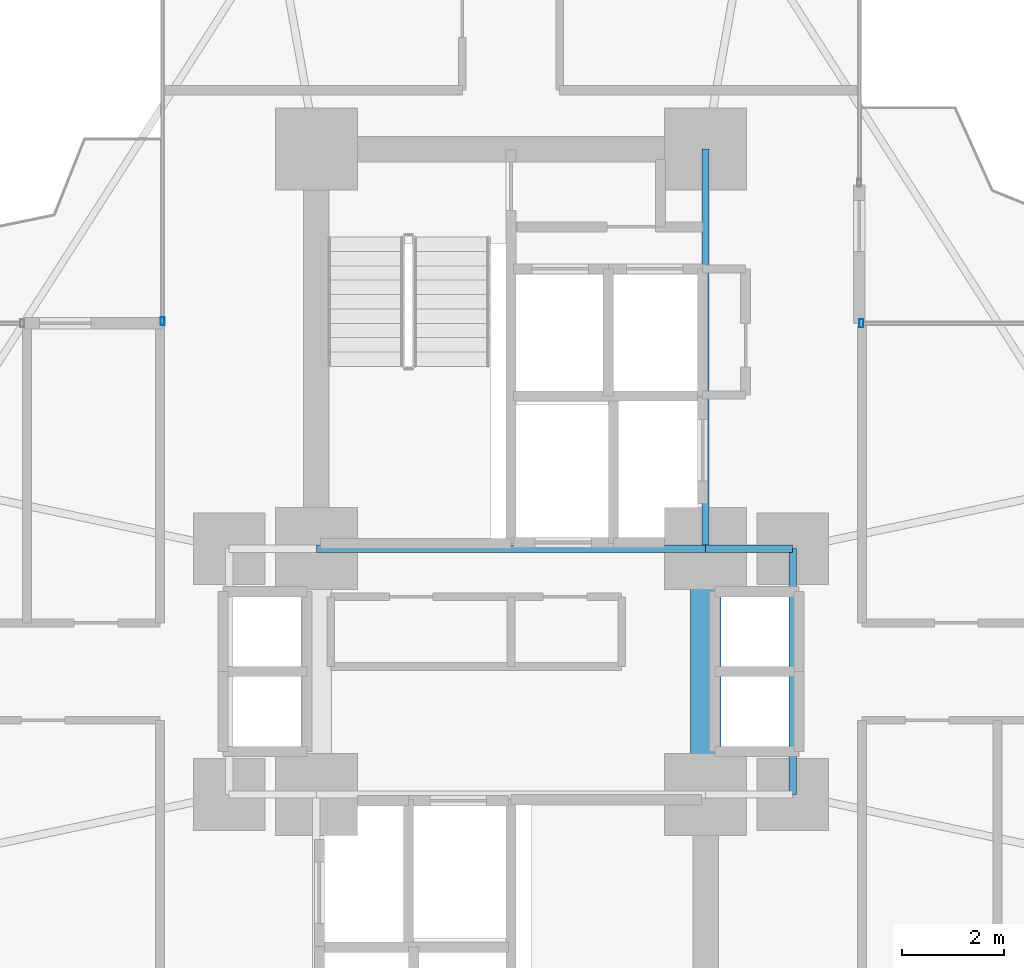
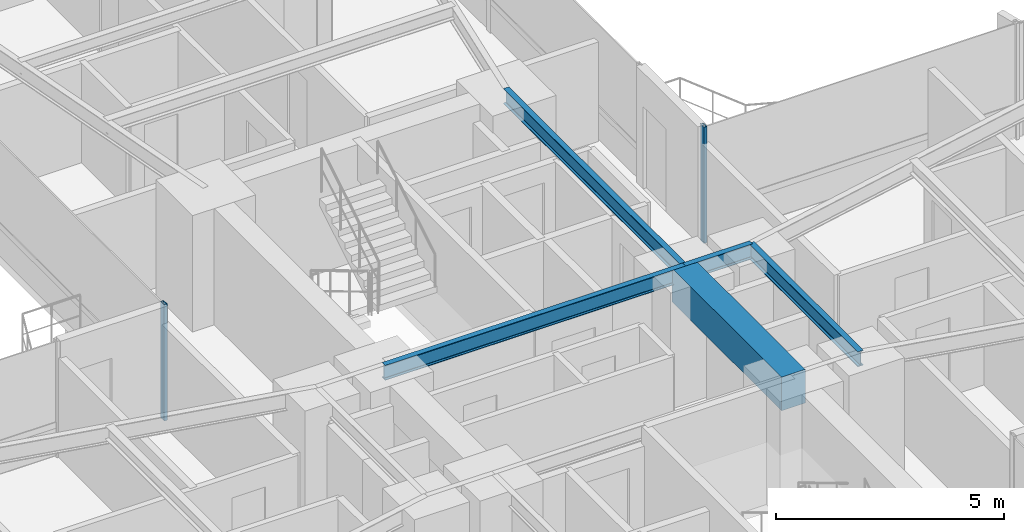
# One storey, part 12 of 26: 5 beams, 2 members, 2 elements without a shape of their own.
"""IFC4 building model written with IfcOpenShell, lengths in metres."""

from ifc_helpers import new_model, si_unit, direction, frame, origin, origin_2d, place, context, subcontext, project, spatial, rectangle, hollow_rectangle, i_section, extrude, source, transform, mapped, material, material_profile, profile_set, type_object, element, aggregate, save


model = new_model("IFC4")

# Units and contexts
model_context = context("Model", 3, precision=1e-05, world=origin(), true_north=direction((0.0, 1.0)))
body_context = subcontext(model_context, "Body", "Model", "MODEL_VIEW")
ifc_project = project(units=[si_unit("LENGTHUNIT", "METRE"), si_unit("AREAUNIT", "SQUARE_METRE"), si_unit("VOLUMEUNIT", "CUBIC_METRE"), si_unit("PLANEANGLEUNIT", "RADIAN"), si_unit("MASSUNIT", "GRAM", prefix="KILO")], contexts=[model_context])

# Site, building, storey
site_placement = place(None, origin())
site = spatial("IfcSite", under=ifc_project, at=site_placement, CompositionType="ELEMENT")
building_placement = place(site_placement, origin())
building = spatial("IfcBuilding", under=site, at=building_placement, Name="Sahyath Konkavel Grand Hotel", CompositionType="ELEMENT")
storey_placement = place(building_placement, frame((0.0, 0.0, 51.050048828125)))
storey = spatial("IfcBuildingStorey", under=building, at=storey_placement, Name="L13", CompositionType="ELEMENT", Elevation=51.050048828125)

# Beams
ifc_material_1 = material(Name="Concrete C70/85", Category="concrete")
ifc_material_profile_1 = material_profile(ifc_material_1, rectangle(XDim=0.60009765625, YDim=0.89990234375, at=origin_2d()), Name="RC 600x900")
ifc_profile_set_1 = profile_set([ifc_material_profile_1], Name="Concrete C70/85")
beam_type_1 = type_object("IfcBeamType", Name="BM-CB600x900", PredefinedType="LINTEL", material=ifc_profile_set_1)
shared_shape_1 = source(origin(), body_context, "Body", "SweptSolid", [
    extrude(rectangle(XDim=0.60009765625, YDim=0.89990234375, at=origin_2d()), origin(), (0.0, 0.0, 1.0), 4.7998046875),
])
beam_1_placement = place(storey_placement, frame((3.800048828125, -2.39990234375, 2.659912109375), z_axis=(0.0, 1.0, 0.0), x_axis=(-1.0, 0.0, 0.0)))
element("IfcBeam", 1, at=beam_1_placement, inside=storey, type_object=beam_type_1, Name="L13 Split-Core Coupling Beam East", PredefinedType="LINTEL", context=body_context, shape_type="MappedRepresentation", body=[
    mapped(shared_shape_1, transform((0.0, 0.0, 0.0), scale=1.0)),
])
ifc_material_2 = material(Name="Steel E350", Category="steel")
ifc_material_profile_2 = material_profile(ifc_material_2, i_section(OverallWidth=0.139892578125, OverallDepth=0.39990234375, WebThickness=0.0087890625, FlangeThickness=0.01611328125, FilletRadius=0.013916015625, at=origin_2d()), Name="ISMB 400")
ifc_profile_set_2 = profile_set([ifc_material_profile_2], Name="Steel E350")
beam_type_2 = type_object("IfcBeamType", Name="BM-ISMB400", PredefinedType="BEAM", material=ifc_profile_set_2)
shared_shape_2 = source(origin(), body_context, "Body", "SweptSolid", [
    extrude(i_section(OverallWidth=0.139892578125, OverallDepth=0.39990234375, WebThickness=0.0087890625, FlangeThickness=0.01611328125, FilletRadius=0.013916015625, at=origin_2d()), origin(), (0.0, 0.0, 1.0), 7.60009765625),
])
beam_2_placement = place(storey_placement, frame((-3.800048828125, 2.39990234375, 2.909912109375), z_axis=(1.0, 0.0, 0.0), x_axis=(0.0, 1.0, 0.0)))
element("IfcBeam", 2, at=beam_2_placement, inside=storey, type_object=beam_type_2, Name="str:bm:L13:NC-S", PredefinedType="BEAM", context=body_context, shape_type="MappedRepresentation", body=[
    mapped(shared_shape_2, transform((0.0, 0.0, 0.0), scale=1.0)),
])
shared_shape_3 = source(origin(), body_context, "Body", "SweptSolid", [
    extrude(i_section(OverallWidth=0.139892578125, OverallDepth=0.39990234375, WebThickness=0.0087890625, FlangeThickness=0.01611328125, FilletRadius=0.013916015625, at=origin_2d()), origin(), (0.0, 0.0, 1.0), 7.800048828125),
])
beam_3_placement = place(storey_placement, frame((3.800048828125, 2.39990234375, 2.909912109375), z_axis=(0.0, 1.0, 0.0), x_axis=(-1.0, 0.0, 0.0)))
element("IfcBeam", 3, at=beam_3_placement, inside=storey, type_object=beam_type_2, Name="str:bm:L13:NC-E", PredefinedType="BEAM", context=body_context, shape_type="MappedRepresentation", body=[
    mapped(shared_shape_3, transform((0.0, 0.0, 0.0), scale=1.0)),
])
shared_shape_4 = source(origin(), body_context, "Body", "SweptSolid", [
    extrude(i_section(OverallWidth=0.139892578125, OverallDepth=0.39990234375, WebThickness=0.0087890625, FlangeThickness=0.01611328125, FilletRadius=0.013916015625, at=origin_2d()), origin(), (0.0, 0.0, 1.0), 1.699951171875),
])
beam_4_placement = place(storey_placement, frame((3.800048828125, 2.39990234375, 2.909912109375), z_axis=(1.0, 0.0, 0.0), x_axis=(0.0, 1.0, 0.0)))
element("IfcBeam", 4, at=beam_4_placement, inside=storey, type_object=beam_type_2, Name="str:bm:L13:HB-NE", PredefinedType="BEAM", context=body_context, shape_type="MappedRepresentation", body=[
    mapped(shared_shape_4, transform((0.0, 0.0, 0.0), scale=1.0)),
])
shared_shape_5 = source(origin(), body_context, "Body", "SweptSolid", [
    extrude(i_section(OverallWidth=0.139892578125, OverallDepth=0.39990234375, WebThickness=0.0087890625, FlangeThickness=0.01611328125, FilletRadius=0.013916015625, at=origin_2d()), origin(), (0.0, 0.0, 1.0), 4.7998046875),
])
beam_5_placement = place(storey_placement, frame((5.5, -2.39990234375, 2.909912109375), z_axis=(0.0, 1.0, 0.0), x_axis=(-1.0, 0.0, 0.0)))
element("IfcBeam", 5, at=beam_5_placement, inside=storey, type_object=beam_type_2, Name="str:bm:L13:HB-E", PredefinedType="BEAM", context=body_context, shape_type="MappedRepresentation", body=[
    mapped(shared_shape_5, transform((0.0, 0.0, 0.0), scale=1.0)),
])

# Curtain wall, member
ifc_material_3 = material(Name="Anodised Bronze Aluminium & Low-E Glazing", Category="aluminium")
curtain_wall_type = type_object("IfcCurtainWallType", Name="CW-ZONE1", PredefinedType="NOTDEFINED", material=ifc_material_3)
curtain_wall_1_placement = place(storey_placement, origin())
curtain_wall_1 = element("IfcCurtainWall", 6, at=curtain_wall_1_placement, inside=storey, type_object=curtain_wall_type, Name="L13 Unitised Curtain Wall F7", PredefinedType="NOTDEFINED")
ifc_material_4 = material(Name="Anodised Bronze Aluminium", Category="aluminium")
ifc_material_profile_3 = material_profile(ifc_material_4, hollow_rectangle(XDim=0.080078125, YDim=0.159912109375, WallThickness=0.006103515625, at=origin_2d()), Name="RHS 160x80x6")
ifc_profile_set_3 = profile_set([ifc_material_profile_3], Name="Anodised Bronze Aluminium")
member_type = type_object("IfcMemberType", Name="CW-MUL-160", PredefinedType="MULLION", material=ifc_profile_set_3)
shared_shape_6 = source(origin(), body_context, "Body", "SweptSolid", [
    extrude(hollow_rectangle(XDim=0.080078125, YDim=0.159912109375, WallThickness=0.006103515625, at=origin_2d()), origin(), (0.0, 0.0, 1.0), 3.10986328125),
])
member_1_placement = place(storey_placement, frame((6.840087890625, 6.800048828125, 0.0), z_axis=(0.0, 0.0, 1.0), x_axis=(1.0, 0.0, 0.0)))
member_1 = element("IfcMember", 7, at=member_1_placement, type_object=member_type, Name="L13 Curtain Wall Mullion F7-2", PredefinedType="MULLION", context=body_context, shape_type="MappedRepresentation", body=[
    mapped(shared_shape_6, transform((0.0, 0.0, 0.0), scale=1.0)),
])
aggregate(curtain_wall_1, [member_1])

curtain_wall_2_placement = place(storey_placement, origin())
curtain_wall_2 = element("IfcCurtainWall", 8, at=curtain_wall_2_placement, inside=storey, type_object=curtain_wall_type, Name="L13 Unitised Curtain Wall F15", PredefinedType="NOTDEFINED")
member_2_placement = place(storey_placement, frame((-6.800048828125, 6.840087890625, 0.0), z_axis=(0.0, 0.0, 1.0), x_axis=(1.0, 0.0, 0.0)))
member_2 = element("IfcMember", 9, at=member_2_placement, type_object=member_type, Name="L13 Curtain Wall Mullion F15-2", PredefinedType="MULLION", context=body_context, shape_type="MappedRepresentation", body=[
    mapped(shared_shape_6, transform((0.0, 0.0, 0.0), scale=1.0)),
])
aggregate(curtain_wall_2, [member_2])

save(model, "model.ifc")
